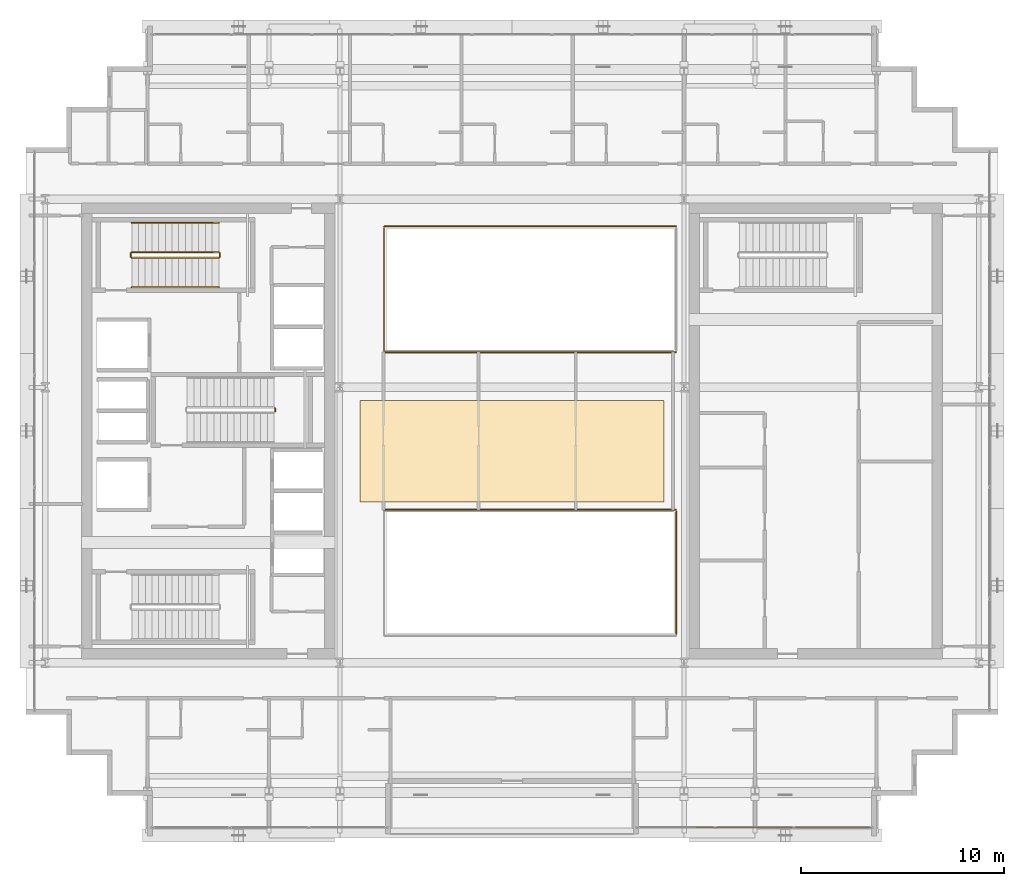
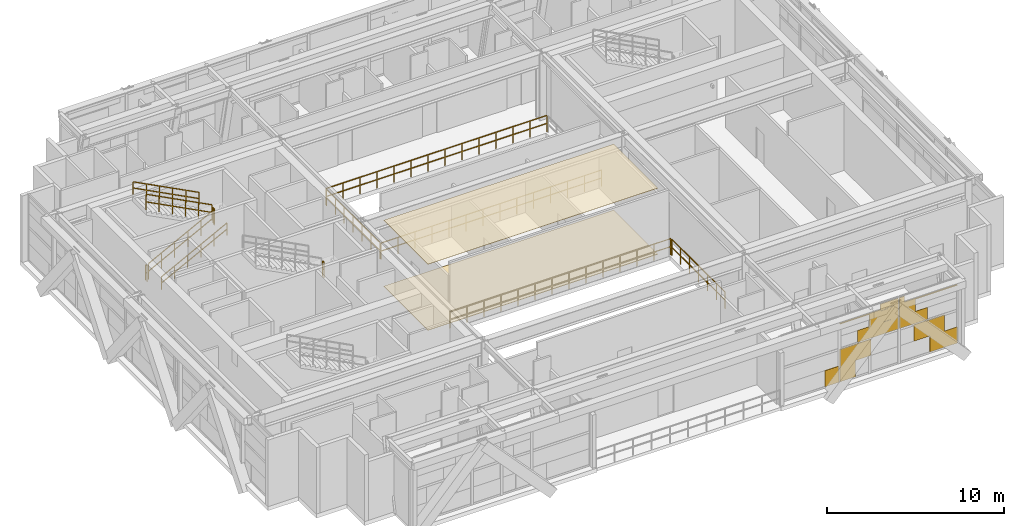
# One storey, part 29 of 31: 12 railings, 3 coverings.
"""IFC4 building model written with IfcOpenShell, lengths in metres."""

from ifc_helpers import new_model, si_unit, direction, frame, origin, origin_2d, place, context, subcontext, project, spatial, polyline, rectangle, outline, extrude, material, layer, layer_set, type_object, element, save


model = new_model("IFC4")

# Units and contexts
model_context = context("Model", 3, precision=1e-05, world=origin(), true_north=direction((0.0, 1.0)))
body_context = subcontext(model_context, "Body", "Model", "MODEL_VIEW")
ifc_project = project(units=[si_unit("LENGTHUNIT", "METRE"), si_unit("AREAUNIT", "SQUARE_METRE"), si_unit("VOLUMEUNIT", "CUBIC_METRE"), si_unit("PLANEANGLEUNIT", "RADIAN"), si_unit("MASSUNIT", "GRAM", prefix="KILO")], contexts=[model_context])

# Site, building, storey
site_placement = place(None, origin())
site = spatial("IfcSite", under=ifc_project, at=site_placement, CompositionType="ELEMENT")
building_placement = place(site_placement, origin())
building = spatial("IfcBuilding", under=site, at=building_placement, Name="Ocotamira Hotel", CompositionType="ELEMENT")
storey_placement = place(building_placement, frame((0.0, 0.0, 228.0)))
storey = spatial("IfcBuildingStorey", under=building, at=storey_placement, Name="L57", CompositionType="ELEMENT", Elevation=228.0)

# Coverings
ifc_material_1 = material(Name="Perforated acoustic gypsum ceiling board", Category="gypsum")
ifc_layer_1 = layer(ifc_material_1, 0.02490234375)
ifc_layer_set_1 = layer_set([ifc_layer_1], Name="Perforated acoustic gypsum ceiling board")
covering_type_1 = type_object("IfcCoveringType", Name="COV-CEIL-25", PredefinedType="CEILING", material=ifc_layer_set_1)
covering_1_placement = place(storey_placement, frame((0.0, 0.0, 4.554931640625)))
element("IfcCovering", 1, at=covering_1_placement, inside=storey, type_object=covering_type_1, Name="L57 Acoustic Ceiling", PredefinedType="CEILING", context=body_context, shape_type="SweptSolid", body=[
    extrude(outline(polyline([(24.5, 22.5), (39.5, 22.5), (39.5, 27.5), (24.5, 27.5), (24.5, 22.5)])), origin(), (0.0, 0.0, 1.0), 0.025146484375),
])
ifc_material_2 = material(Name="Honed desert travertine stone flooring", Category="masonry")
ifc_layer_2 = layer(ifc_material_2, 0.030029296875)
ifc_layer_set_2 = layer_set([ifc_layer_2], Name="Honed desert travertine stone flooring")
covering_type_2 = type_object("IfcCoveringType", Name="COV-FLOR-30", PredefinedType="FLOORING", material=ifc_layer_set_2)
covering_2_placement = place(storey_placement, origin())
element("IfcCovering", 2, at=covering_2_placement, inside=storey, type_object=covering_type_2, Name="L57 Honed Stone Floor Finish", PredefinedType="FLOORING", context=body_context, shape_type="SweptSolid", body=[
    extrude(outline(polyline([(24.5, 22.5), (39.5, 22.5), (39.5, 27.5), (24.5, 27.5), (24.5, 22.5)])), origin(), (0.0, 0.0, 1.0), 0.030029296875),
])
ifc_material_3 = material(Name="Insulated pale-metal aluminium spandrel panel", Category="aluminium")
ifc_layer_3 = layer(ifc_material_3, 0.044921875)
ifc_layer_set_3 = layer_set([ifc_layer_3], Name="Insulated pale-metal aluminium spandrel panel")
covering_type_3 = type_object("IfcCoveringType", Name="COV-INFILL-45", PredefinedType="CLADDING", material=ifc_layer_set_3)
covering_3_placement = place(storey_placement, origin())
element("IfcCovering", 3, at=covering_3_placement, inside=storey, type_object=covering_type_3, Name="L57 Curtain Wall Infill CW-5 CW-L57-S2", PredefinedType="CLADDING", context=body_context, shape_type="SweptSolid", body=[
    extrude(rectangle(XDim=0.9091796875, YDim=0.044921875, at=origin_2d()), frame((41.538330078125, 6.419921875, 0.07568359375), z_axis=(0.0, 0.0, 1.0), x_axis=(1.0, 0.0, 0.0)), (0.0, 0.0, 1.0), 1.117919921875),
    extrude(rectangle(XDim=0.998779296875, YDim=0.044921875, at=origin_2d()), frame((42.5732421875, 6.419921875, 0.07568359375), z_axis=(0.0, 0.0, 1.0), x_axis=(1.0, 0.0, 0.0)), (0.0, 0.0, 1.0), 1.117919921875),
    extrude(rectangle(XDim=2.03466796875, YDim=0.044921875, at=origin_2d()), frame((43.091064453125, 6.419921875, 1.1943359375), z_axis=(0.0, 0.0, 1.0), x_axis=(1.0, 0.0, 0.0)), (0.0, 0.0, 1.0), 1.117919921875),
    extrude(rectangle(XDim=3.80224609375, YDim=0.044921875, at=origin_2d()), frame((43.97509765625, 6.419921875, 4.04150390625), z_axis=(0.0, 0.0, 1.0), x_axis=(1.0, 0.0, 0.0)), (0.0, 0.0, 1.0), 0.068603515625),
    extrude(rectangle(XDim=2.6513671875, YDim=0.044921875, at=origin_2d()), frame((44.550537109375, 6.419921875, 2.387939453125), z_axis=(0.0, 0.0, 1.0), x_axis=(1.0, 0.0, 0.0)), (0.0, 0.0, 1.0), 0.82568359375),
    extrude(rectangle(XDim=1.8857421875, YDim=0.044921875, at=origin_2d()), frame((44.933349609375, 6.419921875, 3.21484375), z_axis=(0.0, 0.0, 1.0), x_axis=(1.0, 0.0, 0.0)), (0.0, 0.0, 1.0), 0.82568359375),
    extrude(rectangle(XDim=1.15478515625, YDim=0.044921875, at=origin_2d()), frame((45.298828125, 6.419921875, 4.111328125), z_axis=(0.0, 0.0, 1.0), x_axis=(1.0, 0.0, 0.0)), (0.0, 0.0, 1.0), 0.393310546875),
    extrude(rectangle(XDim=1.989013671875, YDim=0.044921875, at=origin_2d()), frame((47.885986328125, 6.419921875, 1.1943359375), z_axis=(0.0, 0.0, 1.0), x_axis=(1.0, 0.0, 0.0)), (0.0, 0.0, 1.0), 1.117919921875),
    extrude(rectangle(XDim=1.7919921875, YDim=0.044921875, at=origin_2d()), frame((48.823486328125, 6.419921875, 0.07568359375), z_axis=(0.0, 0.0, 1.0), x_axis=(1.0, 0.0, 0.0)), (0.0, 0.0, 1.0), 1.117919921875),
    extrude(rectangle(XDim=1.81787109375, YDim=0.044921875, at=origin_2d()), frame((46.8662109375, 6.419921875, 2.387939453125), z_axis=(0.0, 0.0, 1.0), x_axis=(1.0, 0.0, 0.0)), (0.0, 0.0, 1.0), 0.82568359375),
    extrude(rectangle(XDim=1.052490234375, YDim=0.044921875, at=origin_2d()), frame((46.4833984375, 6.419921875, 3.21484375), z_axis=(0.0, 0.0, 1.0), x_axis=(1.0, 0.0, 0.0)), (0.0, 0.0, 1.0), 0.82568359375),
    extrude(rectangle(XDim=3.76220703125, YDim=0.044921875, at=origin_2d()), frame((47.83837890625, 6.419921875, 4.04150390625), z_axis=(0.0, 0.0, 1.0), x_axis=(1.0, 0.0, 0.0)), (0.0, 0.0, 1.0), 0.068603515625),
    extrude(rectangle(XDim=0.3212890625, YDim=0.044921875, at=origin_2d()), frame((46.117919921875, 6.419921875, 4.111328125), z_axis=(0.0, 0.0, 1.0), x_axis=(1.0, 0.0, 0.0)), (0.0, 0.0, 1.0), 0.393310546875),
])

# Railings
ifc_material_4 = material(Name="Painted steel stair guardrail", Category="steel")
railing_type_1 = type_object("IfcRailingType", Name="RL-EDGE-1150", PredefinedType="GUARDRAIL", material=ifc_material_4)
railing_1_placement = place(storey_placement, frame((40.1201171875, 15.97998046875, 0.0)))
element("IfcRailing", 4, at=railing_1_placement, inside=storey, type_object=railing_type_1, Name="L57 Atrium Bridge Lightwell Guard S E", PredefinedType="GUARDRAIL", context=body_context, shape_type="SweptSolid", body=[
    extrude(rectangle(XDim=0.048095703125, YDim=0.048095703125, at=origin_2d()), frame((0.0, 0.0, 1.1259765625), z_axis=(0.0, 1.0, 0.0), x_axis=(-1.0, 0.0, 0.0)), (0.0, 0.0, 1.0), 6.0400390625),
    extrude(rectangle(XDim=0.048095703125, YDim=0.048095703125, at=origin_2d()), frame((0.0, 0.0, 0.574951171875), z_axis=(0.0, 1.0, 0.0), x_axis=(-1.0, 0.0, 0.0)), (0.0, 0.0, 1.0), 6.0400390625),
    extrude(rectangle(XDim=0.0419921875, YDim=0.0419921875, at=origin_2d()), origin(), (0.0, 0.0, 1.0), 1.101806640625),
    extrude(rectangle(XDim=0.0419921875, YDim=0.0419921875, at=origin_2d()), frame((0.0, 1.006591796875, 0.0)), (0.0, 0.0, 1.0), 1.101806640625),
    extrude(rectangle(XDim=0.0419921875, YDim=0.0419921875, at=origin_2d()), frame((0.0, 2.013427734375, 0.0)), (0.0, 0.0, 1.0), 1.101806640625),
    extrude(rectangle(XDim=0.0419921875, YDim=0.0419921875, at=origin_2d()), frame((0.0, 3.02001953125, 0.0)), (0.0, 0.0, 1.0), 1.101806640625),
    extrude(rectangle(XDim=0.0419921875, YDim=0.0419921875, at=origin_2d()), frame((0.0, 4.026611328125, 0.0)), (0.0, 0.0, 1.0), 1.101806640625),
    extrude(rectangle(XDim=0.0419921875, YDim=0.0419921875, at=origin_2d()), frame((0.0, 5.033447265625, 0.0)), (0.0, 0.0, 1.0), 1.101806640625),
    extrude(rectangle(XDim=0.0419921875, YDim=0.0419921875, at=origin_2d()), frame((0.0, 6.0400390625, 0.0)), (0.0, 0.0, 1.0), 1.101806640625),
])
railing_2_placement = place(storey_placement, frame((40.10009765625, 22.10009765625, 0.0)))
element("IfcRailing", 5, at=railing_2_placement, inside=storey, type_object=railing_type_1, Name="L57 Atrium Bridge Lightwell Guard S N", PredefinedType="GUARDRAIL", context=body_context, shape_type="SweptSolid", body=[
    extrude(rectangle(XDim=0.048095703125, YDim=0.048095703125, at=origin_2d()), frame((0.0, 0.0, 1.1259765625), z_axis=(-1.0, 0.0, 0.0), x_axis=(0.0, -1.0, 0.0)), (0.0, 0.0, 1.0), 14.400146484375),
    extrude(rectangle(XDim=0.048095703125, YDim=0.048095703125, at=origin_2d()), frame((0.0, 0.0, 0.574951171875), z_axis=(-1.0, 0.0, 0.0), x_axis=(0.0, -1.0, 0.0)), (0.0, 0.0, 1.0), 14.400146484375),
    extrude(rectangle(XDim=0.0419921875, YDim=0.0419921875, at=origin_2d()), origin(), (0.0, 0.0, 1.0), 1.101806640625),
    extrude(rectangle(XDim=0.0419921875, YDim=0.0419921875, at=origin_2d()), frame((-1.107666015625, 0.0, 0.0)), (0.0, 0.0, 1.0), 1.101806640625),
    extrude(rectangle(XDim=0.0419921875, YDim=0.0419921875, at=origin_2d()), frame((-2.21533203125, 0.0, 0.0)), (0.0, 0.0, 1.0), 1.101806640625),
    extrude(rectangle(XDim=0.0419921875, YDim=0.0419921875, at=origin_2d()), frame((-3.322998046875, 0.0, 0.0)), (0.0, 0.0, 1.0), 1.101806640625),
    extrude(rectangle(XDim=0.0419921875, YDim=0.0419921875, at=origin_2d()), frame((-4.430908203125, 0.0, 0.0)), (0.0, 0.0, 1.0), 1.101806640625),
    extrude(rectangle(XDim=0.0419921875, YDim=0.0419921875, at=origin_2d()), frame((-5.53857421875, 0.0, 0.0)), (0.0, 0.0, 1.0), 1.101806640625),
    extrude(rectangle(XDim=0.0419921875, YDim=0.0419921875, at=origin_2d()), frame((-6.646240234375, 0.0, 0.0)), (0.0, 0.0, 1.0), 1.101806640625),
    extrude(rectangle(XDim=0.0419921875, YDim=0.0419921875, at=origin_2d()), frame((-7.75390625, 0.0, 0.0)), (0.0, 0.0, 1.0), 1.101806640625),
    extrude(rectangle(XDim=0.0419921875, YDim=0.0419921875, at=origin_2d()), frame((-8.861572265625, 0.0, 0.0)), (0.0, 0.0, 1.0), 1.101806640625),
    extrude(rectangle(XDim=0.0419921875, YDim=0.0419921875, at=origin_2d()), frame((-9.96923828125, 0.0, 0.0)), (0.0, 0.0, 1.0), 1.101806640625),
    extrude(rectangle(XDim=0.0419921875, YDim=0.0419921875, at=origin_2d()), frame((-11.0771484375, 0.0, 0.0)), (0.0, 0.0, 1.0), 1.101806640625),
    extrude(rectangle(XDim=0.0419921875, YDim=0.0419921875, at=origin_2d()), frame((-12.184814453125, 0.0, 0.0)), (0.0, 0.0, 1.0), 1.101806640625),
    extrude(rectangle(XDim=0.0419921875, YDim=0.0419921875, at=origin_2d()), frame((-13.29248046875, 0.0, 0.0)), (0.0, 0.0, 1.0), 1.101806640625),
    extrude(rectangle(XDim=0.0419921875, YDim=0.0419921875, at=origin_2d()), frame((-14.400146484375, 0.0, 0.0)), (0.0, 0.0, 1.0), 1.101806640625),
])
railing_3_placement = place(storey_placement, frame((25.699951171875, 29.89990234375, 0.0)))
element("IfcRailing", 6, at=railing_3_placement, inside=storey, type_object=railing_type_1, Name="L57 Atrium Bridge Lightwell Guard N S", PredefinedType="GUARDRAIL", context=body_context, shape_type="SweptSolid", body=[
    extrude(rectangle(XDim=0.048095703125, YDim=0.048095703125, at=origin_2d()), frame((0.0, 0.0, 1.1259765625), z_axis=(1.0, 0.0, 0.0), x_axis=(0.0, 1.0, 0.0)), (0.0, 0.0, 1.0), 14.400146484375),
    extrude(rectangle(XDim=0.048095703125, YDim=0.048095703125, at=origin_2d()), frame((0.0, 0.0, 0.574951171875), z_axis=(1.0, 0.0, 0.0), x_axis=(0.0, 1.0, 0.0)), (0.0, 0.0, 1.0), 14.400146484375),
    extrude(rectangle(XDim=0.0419921875, YDim=0.0419921875, at=origin_2d()), origin(), (0.0, 0.0, 1.0), 1.101806640625),
    extrude(rectangle(XDim=0.0419921875, YDim=0.0419921875, at=origin_2d()), frame((1.107666015625, 0.0, 0.0)), (0.0, 0.0, 1.0), 1.101806640625),
    extrude(rectangle(XDim=0.0419921875, YDim=0.0419921875, at=origin_2d()), frame((2.21533203125, 0.0, 0.0)), (0.0, 0.0, 1.0), 1.101806640625),
    extrude(rectangle(XDim=0.0419921875, YDim=0.0419921875, at=origin_2d()), frame((3.322998046875, 0.0, 0.0)), (0.0, 0.0, 1.0), 1.101806640625),
    extrude(rectangle(XDim=0.0419921875, YDim=0.0419921875, at=origin_2d()), frame((4.430908203125, 0.0, 0.0)), (0.0, 0.0, 1.0), 1.101806640625),
    extrude(rectangle(XDim=0.0419921875, YDim=0.0419921875, at=origin_2d()), frame((5.53857421875, 0.0, 0.0)), (0.0, 0.0, 1.0), 1.101806640625),
    extrude(rectangle(XDim=0.0419921875, YDim=0.0419921875, at=origin_2d()), frame((6.646240234375, 0.0, 0.0)), (0.0, 0.0, 1.0), 1.101806640625),
    extrude(rectangle(XDim=0.0419921875, YDim=0.0419921875, at=origin_2d()), frame((7.75390625, 0.0, 0.0)), (0.0, 0.0, 1.0), 1.101806640625),
    extrude(rectangle(XDim=0.0419921875, YDim=0.0419921875, at=origin_2d()), frame((8.861572265625, 0.0, 0.0)), (0.0, 0.0, 1.0), 1.101806640625),
    extrude(rectangle(XDim=0.0419921875, YDim=0.0419921875, at=origin_2d()), frame((9.96923828125, 0.0, 0.0)), (0.0, 0.0, 1.0), 1.101806640625),
    extrude(rectangle(XDim=0.0419921875, YDim=0.0419921875, at=origin_2d()), frame((11.0771484375, 0.0, 0.0)), (0.0, 0.0, 1.0), 1.101806640625),
    extrude(rectangle(XDim=0.0419921875, YDim=0.0419921875, at=origin_2d()), frame((12.184814453125, 0.0, 0.0)), (0.0, 0.0, 1.0), 1.101806640625),
    extrude(rectangle(XDim=0.0419921875, YDim=0.0419921875, at=origin_2d()), frame((13.29248046875, 0.0, 0.0)), (0.0, 0.0, 1.0), 1.101806640625),
    extrude(rectangle(XDim=0.0419921875, YDim=0.0419921875, at=origin_2d()), frame((14.400146484375, 0.0, 0.0)), (0.0, 0.0, 1.0), 1.101806640625),
])
railing_4_placement = place(storey_placement, frame((40.10009765625, 36.10009765625, 0.0)))
element("IfcRailing", 7, at=railing_4_placement, inside=storey, type_object=railing_type_1, Name="L57 Atrium Bridge Lightwell Guard N N", PredefinedType="GUARDRAIL", context=body_context, shape_type="SweptSolid", body=[
    extrude(rectangle(XDim=0.048095703125, YDim=0.048095703125, at=origin_2d()), frame((0.0, 0.0, 1.1259765625), z_axis=(-1.0, 0.0, 0.0), x_axis=(0.0, -1.0, 0.0)), (0.0, 0.0, 1.0), 14.400146484375),
    extrude(rectangle(XDim=0.048095703125, YDim=0.048095703125, at=origin_2d()), frame((0.0, 0.0, 0.574951171875), z_axis=(-1.0, 0.0, 0.0), x_axis=(0.0, -1.0, 0.0)), (0.0, 0.0, 1.0), 14.400146484375),
    extrude(rectangle(XDim=0.0419921875, YDim=0.0419921875, at=origin_2d()), origin(), (0.0, 0.0, 1.0), 1.101806640625),
    extrude(rectangle(XDim=0.0419921875, YDim=0.0419921875, at=origin_2d()), frame((-1.107666015625, 0.0, 0.0)), (0.0, 0.0, 1.0), 1.101806640625),
    extrude(rectangle(XDim=0.0419921875, YDim=0.0419921875, at=origin_2d()), frame((-2.21533203125, 0.0, 0.0)), (0.0, 0.0, 1.0), 1.101806640625),
    extrude(rectangle(XDim=0.0419921875, YDim=0.0419921875, at=origin_2d()), frame((-3.322998046875, 0.0, 0.0)), (0.0, 0.0, 1.0), 1.101806640625),
    extrude(rectangle(XDim=0.0419921875, YDim=0.0419921875, at=origin_2d()), frame((-4.430908203125, 0.0, 0.0)), (0.0, 0.0, 1.0), 1.101806640625),
    extrude(rectangle(XDim=0.0419921875, YDim=0.0419921875, at=origin_2d()), frame((-5.53857421875, 0.0, 0.0)), (0.0, 0.0, 1.0), 1.101806640625),
    extrude(rectangle(XDim=0.0419921875, YDim=0.0419921875, at=origin_2d()), frame((-6.646240234375, 0.0, 0.0)), (0.0, 0.0, 1.0), 1.101806640625),
    extrude(rectangle(XDim=0.0419921875, YDim=0.0419921875, at=origin_2d()), frame((-7.75390625, 0.0, 0.0)), (0.0, 0.0, 1.0), 1.101806640625),
    extrude(rectangle(XDim=0.0419921875, YDim=0.0419921875, at=origin_2d()), frame((-8.861572265625, 0.0, 0.0)), (0.0, 0.0, 1.0), 1.101806640625),
    extrude(rectangle(XDim=0.0419921875, YDim=0.0419921875, at=origin_2d()), frame((-9.96923828125, 0.0, 0.0)), (0.0, 0.0, 1.0), 1.101806640625),
    extrude(rectangle(XDim=0.0419921875, YDim=0.0419921875, at=origin_2d()), frame((-11.0771484375, 0.0, 0.0)), (0.0, 0.0, 1.0), 1.101806640625),
    extrude(rectangle(XDim=0.0419921875, YDim=0.0419921875, at=origin_2d()), frame((-12.184814453125, 0.0, 0.0)), (0.0, 0.0, 1.0), 1.101806640625),
    extrude(rectangle(XDim=0.0419921875, YDim=0.0419921875, at=origin_2d()), frame((-13.29248046875, 0.0, 0.0)), (0.0, 0.0, 1.0), 1.101806640625),
    extrude(rectangle(XDim=0.0419921875, YDim=0.0419921875, at=origin_2d()), frame((-14.400146484375, 0.0, 0.0)), (0.0, 0.0, 1.0), 1.101806640625),
])
railing_5_placement = place(storey_placement, frame((25.679931640625, 36.02001953125, 0.0)))
element("IfcRailing", 8, at=railing_5_placement, inside=storey, type_object=railing_type_1, Name="L57 Atrium Bridge Lightwell Guard N W", PredefinedType="GUARDRAIL", context=body_context, shape_type="SweptSolid", body=[
    extrude(rectangle(XDim=0.048095703125, YDim=0.048095703125, at=origin_2d()), frame((0.0, 0.0, 1.1259765625), z_axis=(0.0, -1.0, 0.0), x_axis=(1.0, 0.0, 0.0)), (0.0, 0.0, 1.0), 6.0400390625),
    extrude(rectangle(XDim=0.048095703125, YDim=0.048095703125, at=origin_2d()), frame((0.0, 0.0, 0.574951171875), z_axis=(0.0, -1.0, 0.0), x_axis=(1.0, 0.0, 0.0)), (0.0, 0.0, 1.0), 6.0400390625),
    extrude(rectangle(XDim=0.0419921875, YDim=0.0419921875, at=origin_2d()), origin(), (0.0, 0.0, 1.0), 1.101806640625),
    extrude(rectangle(XDim=0.0419921875, YDim=0.0419921875, at=origin_2d()), frame((0.0, -1.006591796875, 0.0)), (0.0, 0.0, 1.0), 1.101806640625),
    extrude(rectangle(XDim=0.0419921875, YDim=0.0419921875, at=origin_2d()), frame((0.0, -2.013427734375, 0.0)), (0.0, 0.0, 1.0), 1.101806640625),
    extrude(rectangle(XDim=0.0419921875, YDim=0.0419921875, at=origin_2d()), frame((0.0, -3.02001953125, 0.0)), (0.0, 0.0, 1.0), 1.101806640625),
    extrude(rectangle(XDim=0.0419921875, YDim=0.0419921875, at=origin_2d()), frame((0.0, -4.026611328125, 0.0)), (0.0, 0.0, 1.0), 1.101806640625),
    extrude(rectangle(XDim=0.0419921875, YDim=0.0419921875, at=origin_2d()), frame((0.0, -5.033447265625, 0.0)), (0.0, 0.0, 1.0), 1.101806640625),
    extrude(rectangle(XDim=0.0419921875, YDim=0.0419921875, at=origin_2d()), frame((0.0, -6.0400390625, 0.0)), (0.0, 0.0, 1.0), 1.101806640625),
])
ifc_material_5 = material(Name="Brushed stainless steel handrail", Category="steel")
railing_type_2 = type_object("IfcRailingType", Name="RL-HAND-900", PredefinedType="HANDRAIL", material=ifc_material_5)
railing_6_placement = place(storey_placement, frame((13.22998046875, 33.10009765625, 0.3427734375)))
element("IfcRailing", 9, at=railing_6_placement, inside=storey, type_object=railing_type_2, Name="L57 ST-2 stair handrail 1", PredefinedType="HANDRAIL", context=body_context, shape_type="SweptSolid", body=[
    extrude(rectangle(XDim=0.048095703125, YDim=0.048095703125, at=origin_2d()), frame((0.0, 0.0, 0.8759765625), z_axis=(0.887391199149, 0.0, 0.46101720106), x_axis=(0.0, 1.0, 0.0)), (0.0, 0.0, 1.0), 4.83447265625),
    extrude(rectangle(XDim=0.048095703125, YDim=0.048095703125, at=origin_2d()), frame((0.0, 0.0, 0.449951171875), z_axis=(0.887391199149, 0.0, 0.46101720106), x_axis=(0.0, 1.0, 0.0)), (0.0, 0.0, 1.0), 4.83447265625),
    extrude(rectangle(XDim=0.0419921875, YDim=0.0419921875, at=origin_2d()), origin(), (0.0, 0.0, 1.0), 0.851806640625),
    extrude(rectangle(XDim=0.0419921875, YDim=0.0419921875, at=origin_2d()), frame((0.85791015625, 0.0, 0.44580078125)), (0.0, 0.0, 1.0), 0.851806640625),
    extrude(rectangle(XDim=0.0419921875, YDim=0.0419921875, at=origin_2d()), frame((1.716064453125, 0.0, 0.8916015625)), (0.0, 0.0, 1.0), 0.851806640625),
    extrude(rectangle(XDim=0.0419921875, YDim=0.0419921875, at=origin_2d()), frame((2.573974609375, 0.0, 1.337158203125)), (0.0, 0.0, 1.0), 0.851806640625),
    extrude(rectangle(XDim=0.0419921875, YDim=0.0419921875, at=origin_2d()), frame((3.43212890625, 0.0, 1.782958984375)), (0.0, 0.0, 1.0), 0.851806640625),
    extrude(rectangle(XDim=0.0419921875, YDim=0.0419921875, at=origin_2d()), frame((4.2900390625, 0.0, 2.228759765625)), (0.0, 0.0, 1.0), 0.851806640625),
])
railing_7_placement = place(storey_placement, frame((17.52001953125, 36.280029296875, 2.742919921875)))
element("IfcRailing", 10, at=railing_7_placement, inside=storey, type_object=railing_type_2, Name="L57 ST-2 stair handrail 2", PredefinedType="HANDRAIL", context=body_context, shape_type="SweptSolid", body=[
    extrude(rectangle(XDim=0.048095703125, YDim=0.048095703125, at=origin_2d()), frame((0.0, 0.0, 0.8759765625), z_axis=(-0.887411858541, 0.0, 0.46097743255), x_axis=(0.0, -1.0, 0.0)), (0.0, 0.0, 1.0), 4.834228515625),
    extrude(rectangle(XDim=0.048095703125, YDim=0.048095703125, at=origin_2d()), frame((0.0, 0.0, 0.449951171875), z_axis=(-0.887411858541, 0.0, 0.46097743255), x_axis=(0.0, -1.0, 0.0)), (0.0, 0.0, 1.0), 4.834228515625),
    extrude(rectangle(XDim=0.0419921875, YDim=0.0419921875, at=origin_2d()), origin(), (0.0, 0.0, 1.0), 0.851806640625),
    extrude(rectangle(XDim=0.0419921875, YDim=0.0419921875, at=origin_2d()), frame((-0.85791015625, 0.0, 0.44580078125)), (0.0, 0.0, 1.0), 0.851806640625),
    extrude(rectangle(XDim=0.0419921875, YDim=0.0419921875, at=origin_2d()), frame((-1.716064453125, 0.0, 0.891357421875)), (0.0, 0.0, 1.0), 0.851806640625),
    extrude(rectangle(XDim=0.0419921875, YDim=0.0419921875, at=origin_2d()), frame((-2.573974609375, 0.0, 1.337158203125)), (0.0, 0.0, 1.0), 0.851806640625),
    extrude(rectangle(XDim=0.0419921875, YDim=0.0419921875, at=origin_2d()), frame((-3.43212890625, 0.0, 1.78271484375)), (0.0, 0.0, 1.0), 0.851806640625),
    extrude(rectangle(XDim=0.0419921875, YDim=0.0419921875, at=origin_2d()), frame((-4.2900390625, 0.0, 2.228515625)), (0.0, 0.0, 1.0), 0.851806640625),
])
railing_type_3 = type_object("IfcRailingType", Name="RL-STAIR-1100", PredefinedType="GUARDRAIL", material=ifc_material_4)
railing_8_placement = place(storey_placement, frame((13.22998046875, 34.56005859375, 0.17138671875)))
element("IfcRailing", 11, at=railing_8_placement, inside=storey, type_object=railing_type_3, Name="L57 ST-2 stair guard 1", PredefinedType="GUARDRAIL", context=body_context, shape_type="SweptSolid", body=[
    extrude(rectangle(XDim=0.048095703125, YDim=0.048095703125, at=origin_2d()), frame((0.0, 0.0, 1.076171875), z_axis=(0.887411858541, 0.0, 0.46097743255), x_axis=(0.0, 1.0, 0.0)), (0.0, 0.0, 1.0), 4.834228515625),
    extrude(rectangle(XDim=0.048095703125, YDim=0.048095703125, at=origin_2d()), frame((0.0, 0.0, 0.550048828125), z_axis=(0.887411858541, 0.0, 0.46097743255), x_axis=(0.0, 1.0, 0.0)), (0.0, 0.0, 1.0), 4.834228515625),
    extrude(rectangle(XDim=0.0419921875, YDim=0.0419921875, at=origin_2d()), origin(), (0.0, 0.0, 1.0), 1.052001953125),
    extrude(rectangle(XDim=0.0419921875, YDim=0.0419921875, at=origin_2d()), frame((0.85791015625, 0.0, 0.44580078125)), (0.0, 0.0, 1.0), 1.052001953125),
    extrude(rectangle(XDim=0.0419921875, YDim=0.0419921875, at=origin_2d()), frame((1.716064453125, 0.0, 0.891357421875)), (0.0, 0.0, 1.0), 1.052001953125),
    extrude(rectangle(XDim=0.0419921875, YDim=0.0419921875, at=origin_2d()), frame((2.573974609375, 0.0, 1.337158203125)), (0.0, 0.0, 1.0), 1.052001953125),
    extrude(rectangle(XDim=0.0419921875, YDim=0.0419921875, at=origin_2d()), frame((3.43212890625, 0.0, 1.78271484375)), (0.0, 0.0, 1.0), 1.052001953125),
    extrude(rectangle(XDim=0.0419921875, YDim=0.0419921875, at=origin_2d()), frame((4.2900390625, 0.0, 2.228515625)), (0.0, 0.0, 1.0), 1.052001953125),
])
railing_9_placement = place(storey_placement, frame((17.570068359375, 34.610107421875, 2.39990234375)))
element("IfcRailing", 12, at=railing_9_placement, inside=storey, type_object=railing_type_3, Name="L57 ST-2 stair guard 2", PredefinedType="GUARDRAIL", context=body_context, shape_type="SweptSolid", body=[
    extrude(rectangle(XDim=0.048095703125, YDim=0.048095703125, at=origin_2d()), frame((0.0, 0.0, 1.076171875), z_axis=(0.0, 1.0, 0.0), x_axis=(-1.0, 0.0, 0.0)), (0.0, 0.0, 1.0), 0.159912109375),
    extrude(rectangle(XDim=0.048095703125, YDim=0.048095703125, at=origin_2d()), frame((0.0, 0.0, 0.550048828125), z_axis=(0.0, 1.0, 0.0), x_axis=(-1.0, 0.0, 0.0)), (0.0, 0.0, 1.0), 0.159912109375),
    extrude(rectangle(XDim=0.0419921875, YDim=0.0419921875, at=origin_2d()), origin(), (0.0, 0.0, 1.0), 1.052001953125),
    extrude(rectangle(XDim=0.0419921875, YDim=0.0419921875, at=origin_2d()), frame((0.0, 0.159912109375, 0.0)), (0.0, 0.0, 1.0), 1.052001953125),
])
railing_10_placement = place(storey_placement, frame((17.52001953125, 34.820068359375, 2.571533203125)))
element("IfcRailing", 13, at=railing_10_placement, inside=storey, type_object=railing_type_3, Name="L57 ST-2 stair guard 3", PredefinedType="GUARDRAIL", context=body_context, shape_type="SweptSolid", body=[
    extrude(rectangle(XDim=0.048095703125, YDim=0.048095703125, at=origin_2d()), frame((0.0, 0.0, 1.076171875), z_axis=(-0.887411858541, 0.0, 0.46097743255), x_axis=(0.0, -1.0, 0.0)), (0.0, 0.0, 1.0), 4.834228515625),
    extrude(rectangle(XDim=0.048095703125, YDim=0.048095703125, at=origin_2d()), frame((0.0, 0.0, 0.550048828125), z_axis=(-0.887411858541, 0.0, 0.46097743255), x_axis=(0.0, -1.0, 0.0)), (0.0, 0.0, 1.0), 4.834228515625),
    extrude(rectangle(XDim=0.0419921875, YDim=0.0419921875, at=origin_2d()), origin(), (0.0, 0.0, 1.0), 1.052001953125),
    extrude(rectangle(XDim=0.0419921875, YDim=0.0419921875, at=origin_2d()), frame((-0.85791015625, 0.0, 0.44580078125)), (0.0, 0.0, 1.0), 1.052001953125),
    extrude(rectangle(XDim=0.0419921875, YDim=0.0419921875, at=origin_2d()), frame((-1.716064453125, 0.0, 0.891357421875)), (0.0, 0.0, 1.0), 1.052001953125),
    extrude(rectangle(XDim=0.0419921875, YDim=0.0419921875, at=origin_2d()), frame((-2.573974609375, 0.0, 1.337158203125)), (0.0, 0.0, 1.0), 1.052001953125),
    extrude(rectangle(XDim=0.0419921875, YDim=0.0419921875, at=origin_2d()), frame((-3.43212890625, 0.0, 1.78271484375)), (0.0, 0.0, 1.0), 1.052001953125),
    extrude(rectangle(XDim=0.0419921875, YDim=0.0419921875, at=origin_2d()), frame((-4.2900390625, 0.0, 2.228515625)), (0.0, 0.0, 1.0), 1.052001953125),
])
railing_11_placement = place(storey_placement, frame((13.179931640625, 34.610107421875, 0.0)))
element("IfcRailing", 14, at=railing_11_placement, inside=storey, type_object=railing_type_3, Name="L57 ST-2 stair guard 4", PredefinedType="GUARDRAIL", context=body_context, shape_type="SweptSolid", body=[
    extrude(rectangle(XDim=0.048095703125, YDim=0.048095703125, at=origin_2d()), frame((0.0, 0.0, 1.076171875), z_axis=(0.0, 1.0, 0.0), x_axis=(-1.0, 0.0, 0.0)), (0.0, 0.0, 1.0), 0.159912109375),
    extrude(rectangle(XDim=0.048095703125, YDim=0.048095703125, at=origin_2d()), frame((0.0, 0.0, 0.550048828125), z_axis=(0.0, 1.0, 0.0), x_axis=(-1.0, 0.0, 0.0)), (0.0, 0.0, 1.0), 0.159912109375),
    extrude(rectangle(XDim=0.0419921875, YDim=0.0419921875, at=origin_2d()), origin(), (0.0, 0.0, 1.0), 1.052001953125),
    extrude(rectangle(XDim=0.0419921875, YDim=0.0419921875, at=origin_2d()), frame((0.0, 0.159912109375, 0.0)), (0.0, 0.0, 1.0), 1.052001953125),
])
railing_12_placement = place(storey_placement, frame((20.300048828125, 26.9599609375, 2.39990234375)))
element("IfcRailing", 15, at=railing_12_placement, inside=storey, type_object=railing_type_3, Name="L57 ST-3 stair guard 2", PredefinedType="GUARDRAIL", context=body_context, shape_type="SweptSolid", body=[
    extrude(rectangle(XDim=0.048095703125, YDim=0.048095703125, at=origin_2d()), frame((0.0, 0.0, 1.076171875), z_axis=(0.0, 1.0, 0.0), x_axis=(-1.0, 0.0, 0.0)), (0.0, 0.0, 1.0), 0.16015625),
    extrude(rectangle(XDim=0.048095703125, YDim=0.048095703125, at=origin_2d()), frame((0.0, 0.0, 0.550048828125), z_axis=(0.0, 1.0, 0.0), x_axis=(-1.0, 0.0, 0.0)), (0.0, 0.0, 1.0), 0.16015625),
    extrude(rectangle(XDim=0.0419921875, YDim=0.0419921875, at=origin_2d()), origin(), (0.0, 0.0, 1.0), 1.052001953125),
    extrude(rectangle(XDim=0.0419921875, YDim=0.0419921875, at=origin_2d()), frame((0.0, 0.16015625, 0.0)), (0.0, 0.0, 1.0), 1.052001953125),
])

save(model, "model.ifc")
